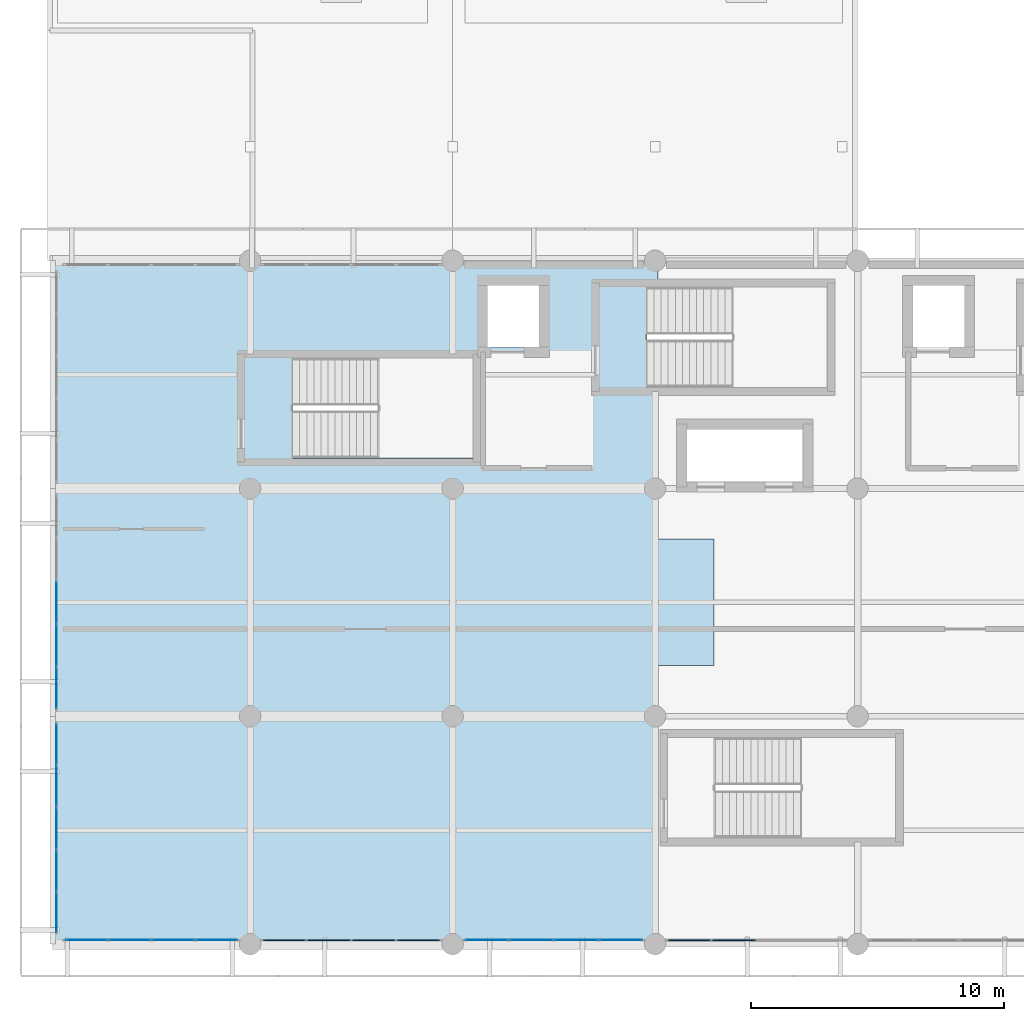
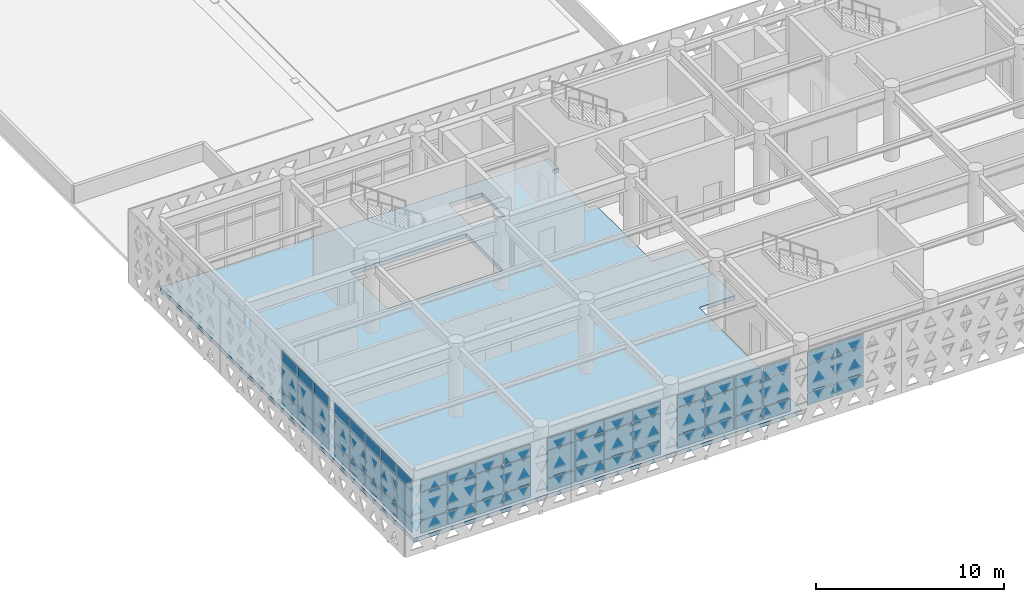
# One storey, part 27 of 54: 66 plates, 1 slab, 6 elements without a shape of their own.
"""IFC4 building model written with IfcOpenShell, lengths in metres."""

from ifc_helpers import new_model, si_unit, direction, frame, origin, origin_2d, place, context, subcontext, project, spatial, polyline, rectangle, outline, extrude, material, layer, layer_set, type_object, element, aggregate, save


model = new_model("IFC4")

# Units and contexts
model_context = context("Model", 3, precision=1e-05, world=origin(), true_north=direction((0.0, 1.0)))
body_context = subcontext(model_context, "Body", "Model", "MODEL_VIEW")
ifc_project = project(units=[si_unit("LENGTHUNIT", "METRE"), si_unit("AREAUNIT", "SQUARE_METRE"), si_unit("VOLUMEUNIT", "CUBIC_METRE"), si_unit("PLANEANGLEUNIT", "RADIAN"), si_unit("MASSUNIT", "GRAM", prefix="KILO")], contexts=[model_context])

# Site, building, storey
site_placement = place(None, origin())
site = spatial("IfcSite", under=ifc_project, at=site_placement, CompositionType="ELEMENT")
building_placement = place(site_placement, origin())
building = spatial("IfcBuilding", under=site, at=building_placement, Name="Tlacozan Convention Centre", CompositionType="ELEMENT")
storey_placement = place(building_placement, frame((0.0, 0.0, 11.39990234375)))
storey = spatial("IfcBuildingStorey", under=building, at=storey_placement, Name="L02", CompositionType="ELEMENT", Elevation=11.39990234375)

# Curtain wall, plates
ifc_material_1 = material(Name="Dark Bronze Anodised Aluminium", Category="aluminium")
ifc_layer_1 = layer(ifc_material_1, 0.159912109375)
ifc_layer_set_1 = layer_set([ifc_layer_1], Name="Dark Bronze Anodised Aluminium")
curtain_wall_type_1 = type_object("IfcCurtainWallType", Name="Unitised Congress L02 South CW03", PredefinedType="NOTDEFINED", material=ifc_layer_set_1)
curtain_wall_1_placement = place(storey_placement, origin())
curtain_wall_1 = element("IfcCurtainWall", 1, at=curtain_wall_1_placement, inside=storey, type_object=curtain_wall_type_1, Name="L02 CW-03 Run 78", PredefinedType="NOTDEFINED")
ifc_material_2 = material(Name="Solar Control Double Low-E Argon Glazing", Category="glass")
ifc_layer_2 = layer(ifc_material_2, 0.02001953125)
ifc_layer_set_2 = layer_set([ifc_layer_2], Name="Solar Control Double Low-E Argon Glazing")
plate_type_1 = type_object("IfcPlateType", Name="Double Low-E Glazed CW Panel 20", PredefinedType="CURTAIN_PANEL", material=ifc_layer_set_2)
plate_1_placement = place(storey_placement, frame((1.52880859375, 0.159912109375, 0.06494140625), z_axis=(0.0, 0.0, 1.0), x_axis=(1.0, 0.0, 0.0)))
plate_1 = element("IfcPlate", 2, at=plate_1_placement, type_object=plate_type_1, Name="CW-03 panel 1.1", PredefinedType="CURTAIN_PANEL", context=body_context, shape_type="SweptSolid", body=[
    extrude(rectangle(XDim=1.62744140625, YDim=0.02001953125, at=origin_2d()), origin(), (0.0, 0.0, 1.0), 0.802490234375),
])
plate_2_placement = place(storey_placement, frame((1.52880859375, 0.159912109375, 0.9326171875), z_axis=(0.0, 0.0, 1.0), x_axis=(1.0, 0.0, 0.0)))
plate_2 = element("IfcPlate", 3, at=plate_2_placement, type_object=plate_type_1, Name="CW-03 panel 1.2", PredefinedType="CURTAIN_PANEL", context=body_context, shape_type="SweptSolid", body=[
    extrude(rectangle(XDim=1.62744140625, YDim=0.02001953125, at=origin_2d()), origin(), (0.0, 0.0, 1.0), 1.77490234375),
])
plate_3_placement = place(storey_placement, frame((1.52880859375, 0.159912109375, 2.772705078125), z_axis=(0.0, 0.0, 1.0), x_axis=(1.0, 0.0, 0.0)))
plate_3 = element("IfcPlate", 4, at=plate_3_placement, type_object=plate_type_1, Name="CW-03 panel 1.3", PredefinedType="CURTAIN_PANEL", context=body_context, shape_type="SweptSolid", body=[
    extrude(rectangle(XDim=1.62744140625, YDim=0.02001953125, at=origin_2d()), origin(), (0.0, 0.0, 1.0), 0.75244140625),
])
plate_4_placement = place(storey_placement, frame((3.237548828125, 0.159912109375, 0.06494140625), z_axis=(0.0, 0.0, 1.0), x_axis=(1.0, 0.0, 0.0)))
plate_4 = element("IfcPlate", 5, at=plate_4_placement, type_object=plate_type_1, Name="CW-03 panel 2.1", PredefinedType="CURTAIN_PANEL", context=body_context, shape_type="SweptSolid", body=[
    extrude(rectangle(XDim=1.659912109375, YDim=0.02001953125, at=origin_2d()), origin(), (0.0, 0.0, 1.0), 0.802490234375),
])
plate_5_placement = place(storey_placement, frame((3.237548828125, 0.159912109375, 0.9326171875), z_axis=(0.0, 0.0, 1.0), x_axis=(1.0, 0.0, 0.0)))
plate_5 = element("IfcPlate", 6, at=plate_5_placement, type_object=plate_type_1, Name="CW-03 panel 2.2", PredefinedType="CURTAIN_PANEL", context=body_context, shape_type="SweptSolid", body=[
    extrude(rectangle(XDim=1.659912109375, YDim=0.02001953125, at=origin_2d()), origin(), (0.0, 0.0, 1.0), 1.77490234375),
])
plate_6_placement = place(storey_placement, frame((3.237548828125, 0.159912109375, 2.772705078125), z_axis=(0.0, 0.0, 1.0), x_axis=(1.0, 0.0, 0.0)))
plate_6 = element("IfcPlate", 7, at=plate_6_placement, type_object=plate_type_1, Name="CW-03 panel 2.3", PredefinedType="CURTAIN_PANEL", context=body_context, shape_type="SweptSolid", body=[
    extrude(rectangle(XDim=1.659912109375, YDim=0.02001953125, at=origin_2d()), origin(), (0.0, 0.0, 1.0), 0.75244140625),
])
plate_7_placement = place(storey_placement, frame((4.96240234375, 0.159912109375, 0.06494140625), z_axis=(0.0, 0.0, 1.0), x_axis=(1.0, 0.0, 0.0)))
plate_7 = element("IfcPlate", 8, at=plate_7_placement, type_object=plate_type_1, Name="CW-03 panel 3.1", PredefinedType="CURTAIN_PANEL", context=body_context, shape_type="SweptSolid", body=[
    extrude(rectangle(XDim=1.659912109375, YDim=0.02001953125, at=origin_2d()), origin(), (0.0, 0.0, 1.0), 0.802490234375),
])
plate_8_placement = place(storey_placement, frame((4.96240234375, 0.159912109375, 0.9326171875), z_axis=(0.0, 0.0, 1.0), x_axis=(1.0, 0.0, 0.0)))
plate_8 = element("IfcPlate", 9, at=plate_8_placement, type_object=plate_type_1, Name="CW-03 panel 3.2", PredefinedType="CURTAIN_PANEL", context=body_context, shape_type="SweptSolid", body=[
    extrude(rectangle(XDim=1.659912109375, YDim=0.02001953125, at=origin_2d()), origin(), (0.0, 0.0, 1.0), 1.77490234375),
])
plate_9_placement = place(storey_placement, frame((4.96240234375, 0.159912109375, 2.772705078125), z_axis=(0.0, 0.0, 1.0), x_axis=(1.0, 0.0, 0.0)))
plate_9 = element("IfcPlate", 10, at=plate_9_placement, type_object=plate_type_1, Name="CW-03 panel 3.3", PredefinedType="CURTAIN_PANEL", context=body_context, shape_type="SweptSolid", body=[
    extrude(rectangle(XDim=1.659912109375, YDim=0.02001953125, at=origin_2d()), origin(), (0.0, 0.0, 1.0), 0.75244140625),
])
plate_10_placement = place(storey_placement, frame((6.671142578125, 0.159912109375, 0.06494140625), z_axis=(0.0, 0.0, 1.0), x_axis=(1.0, 0.0, 0.0)))
plate_10 = element("IfcPlate", 11, at=plate_10_placement, type_object=plate_type_1, Name="CW-03 panel 4.1", PredefinedType="CURTAIN_PANEL", context=body_context, shape_type="SweptSolid", body=[
    extrude(rectangle(XDim=1.62744140625, YDim=0.02001953125, at=origin_2d()), origin(), (0.0, 0.0, 1.0), 0.802490234375),
])
plate_11_placement = place(storey_placement, frame((6.671142578125, 0.159912109375, 0.9326171875), z_axis=(0.0, 0.0, 1.0), x_axis=(1.0, 0.0, 0.0)))
plate_11 = element("IfcPlate", 12, at=plate_11_placement, type_object=plate_type_1, Name="CW-03 panel 4.2", PredefinedType="CURTAIN_PANEL", context=body_context, shape_type="SweptSolid", body=[
    extrude(rectangle(XDim=1.62744140625, YDim=0.02001953125, at=origin_2d()), origin(), (0.0, 0.0, 1.0), 1.77490234375),
])
plate_12_placement = place(storey_placement, frame((6.671142578125, 0.159912109375, 2.772705078125), z_axis=(0.0, 0.0, 1.0), x_axis=(1.0, 0.0, 0.0)))
plate_12 = element("IfcPlate", 13, at=plate_12_placement, type_object=plate_type_1, Name="CW-03 panel 4.3", PredefinedType="CURTAIN_PANEL", context=body_context, shape_type="SweptSolid", body=[
    extrude(rectangle(XDim=1.62744140625, YDim=0.02001953125, at=origin_2d()), origin(), (0.0, 0.0, 1.0), 0.75244140625),
])
aggregate(curtain_wall_1, [plate_1, plate_2, plate_3, plate_4, plate_5, plate_6, plate_7, plate_8, plate_9, plate_10, plate_11, plate_12])

curtain_wall_2_placement = place(storey_placement, origin())
curtain_wall_2 = element("IfcCurtainWall", 14, at=curtain_wall_2_placement, inside=storey, type_object=curtain_wall_type_1, Name="L02 CW-03 Run 80", PredefinedType="NOTDEFINED")
plate_13_placement = place(storey_placement, frame((17.353759765625, 0.159912109375, 0.06494140625), z_axis=(0.0, 0.0, 1.0), x_axis=(1.0, 0.0, 0.0)))
plate_13 = element("IfcPlate", 15, at=plate_13_placement, type_object=plate_type_1, Name="CW-03 panel 1.1", PredefinedType="CURTAIN_PANEL", context=body_context, shape_type="SweptSolid", body=[
    extrude(rectangle(XDim=1.677490234375, YDim=0.02001953125, at=origin_2d()), origin(), (0.0, 0.0, 1.0), 0.802490234375),
])
plate_14_placement = place(storey_placement, frame((17.353759765625, 0.159912109375, 0.9326171875), z_axis=(0.0, 0.0, 1.0), x_axis=(1.0, 0.0, 0.0)))
plate_14 = element("IfcPlate", 16, at=plate_14_placement, type_object=plate_type_1, Name="CW-03 panel 1.2", PredefinedType="CURTAIN_PANEL", context=body_context, shape_type="SweptSolid", body=[
    extrude(rectangle(XDim=1.677490234375, YDim=0.02001953125, at=origin_2d()), origin(), (0.0, 0.0, 1.0), 1.77490234375),
])
plate_15_placement = place(storey_placement, frame((17.353759765625, 0.159912109375, 2.772705078125), z_axis=(0.0, 0.0, 1.0), x_axis=(1.0, 0.0, 0.0)))
plate_15 = element("IfcPlate", 17, at=plate_15_placement, type_object=plate_type_1, Name="CW-03 panel 1.3", PredefinedType="CURTAIN_PANEL", context=body_context, shape_type="SweptSolid", body=[
    extrude(rectangle(XDim=1.677490234375, YDim=0.02001953125, at=origin_2d()), origin(), (0.0, 0.0, 1.0), 0.75244140625),
])
plate_16_placement = place(storey_placement, frame((19.112548828125, 0.159912109375, 0.06494140625), z_axis=(0.0, 0.0, 1.0), x_axis=(1.0, 0.0, 0.0)))
plate_16 = element("IfcPlate", 18, at=plate_16_placement, type_object=plate_type_1, Name="CW-03 panel 2.1", PredefinedType="CURTAIN_PANEL", context=body_context, shape_type="SweptSolid", body=[
    extrude(rectangle(XDim=1.7099609375, YDim=0.02001953125, at=origin_2d()), origin(), (0.0, 0.0, 1.0), 0.802490234375),
])
plate_17_placement = place(storey_placement, frame((19.112548828125, 0.159912109375, 0.9326171875), z_axis=(0.0, 0.0, 1.0), x_axis=(1.0, 0.0, 0.0)))
plate_17 = element("IfcPlate", 19, at=plate_17_placement, type_object=plate_type_1, Name="CW-03 panel 2.2", PredefinedType="CURTAIN_PANEL", context=body_context, shape_type="SweptSolid", body=[
    extrude(rectangle(XDim=1.7099609375, YDim=0.02001953125, at=origin_2d()), origin(), (0.0, 0.0, 1.0), 1.77490234375),
])
plate_18_placement = place(storey_placement, frame((19.112548828125, 0.159912109375, 2.772705078125), z_axis=(0.0, 0.0, 1.0), x_axis=(1.0, 0.0, 0.0)))
plate_18 = element("IfcPlate", 20, at=plate_18_placement, type_object=plate_type_1, Name="CW-03 panel 2.3", PredefinedType="CURTAIN_PANEL", context=body_context, shape_type="SweptSolid", body=[
    extrude(rectangle(XDim=1.7099609375, YDim=0.02001953125, at=origin_2d()), origin(), (0.0, 0.0, 1.0), 0.75244140625),
])
plate_19_placement = place(storey_placement, frame((20.887451171875, 0.159912109375, 0.06494140625), z_axis=(0.0, 0.0, 1.0), x_axis=(1.0, 0.0, 0.0)))
plate_19 = element("IfcPlate", 21, at=plate_19_placement, type_object=plate_type_1, Name="CW-03 panel 3.1", PredefinedType="CURTAIN_PANEL", context=body_context, shape_type="SweptSolid", body=[
    extrude(rectangle(XDim=1.7099609375, YDim=0.02001953125, at=origin_2d()), origin(), (0.0, 0.0, 1.0), 0.802490234375),
])
plate_20_placement = place(storey_placement, frame((20.887451171875, 0.159912109375, 0.9326171875), z_axis=(0.0, 0.0, 1.0), x_axis=(1.0, 0.0, 0.0)))
plate_20 = element("IfcPlate", 22, at=plate_20_placement, type_object=plate_type_1, Name="CW-03 panel 3.2", PredefinedType="CURTAIN_PANEL", context=body_context, shape_type="SweptSolid", body=[
    extrude(rectangle(XDim=1.7099609375, YDim=0.02001953125, at=origin_2d()), origin(), (0.0, 0.0, 1.0), 1.77490234375),
])
plate_21_placement = place(storey_placement, frame((20.887451171875, 0.159912109375, 2.772705078125), z_axis=(0.0, 0.0, 1.0), x_axis=(1.0, 0.0, 0.0)))
plate_21 = element("IfcPlate", 23, at=plate_21_placement, type_object=plate_type_1, Name="CW-03 panel 3.3", PredefinedType="CURTAIN_PANEL", context=body_context, shape_type="SweptSolid", body=[
    extrude(rectangle(XDim=1.7099609375, YDim=0.02001953125, at=origin_2d()), origin(), (0.0, 0.0, 1.0), 0.75244140625),
])
plate_22_placement = place(storey_placement, frame((22.646240234375, 0.159912109375, 0.06494140625), z_axis=(0.0, 0.0, 1.0), x_axis=(1.0, 0.0, 0.0)))
plate_22 = element("IfcPlate", 24, at=plate_22_placement, type_object=plate_type_1, Name="CW-03 panel 4.1", PredefinedType="CURTAIN_PANEL", context=body_context, shape_type="SweptSolid", body=[
    extrude(rectangle(XDim=1.677490234375, YDim=0.02001953125, at=origin_2d()), origin(), (0.0, 0.0, 1.0), 0.802490234375),
])
plate_23_placement = place(storey_placement, frame((22.646240234375, 0.159912109375, 0.9326171875), z_axis=(0.0, 0.0, 1.0), x_axis=(1.0, 0.0, 0.0)))
plate_23 = element("IfcPlate", 25, at=plate_23_placement, type_object=plate_type_1, Name="CW-03 panel 4.2", PredefinedType="CURTAIN_PANEL", context=body_context, shape_type="SweptSolid", body=[
    extrude(rectangle(XDim=1.677490234375, YDim=0.02001953125, at=origin_2d()), origin(), (0.0, 0.0, 1.0), 1.77490234375),
])
plate_24_placement = place(storey_placement, frame((22.646240234375, 0.159912109375, 2.772705078125), z_axis=(0.0, 0.0, 1.0), x_axis=(1.0, 0.0, 0.0)))
plate_24 = element("IfcPlate", 26, at=plate_24_placement, type_object=plate_type_1, Name="CW-03 panel 4.3", PredefinedType="CURTAIN_PANEL", context=body_context, shape_type="SweptSolid", body=[
    extrude(rectangle(XDim=1.677490234375, YDim=0.02001953125, at=origin_2d()), origin(), (0.0, 0.0, 1.0), 0.75244140625),
])
aggregate(curtain_wall_2, [plate_13, plate_14, plate_15, plate_16, plate_17, plate_18, plate_19, plate_20, plate_21, plate_22, plate_23, plate_24])

ifc_layer_3 = layer(ifc_material_1, 0.159912109375)
ifc_layer_set_3 = layer_set([ifc_layer_3], Name="Dark Bronze Anodised Aluminium")
curtain_wall_type_2 = type_object("IfcCurtainWallType", Name="Unitised Congress Gable End CW06", PredefinedType="NOTDEFINED", material=ifc_layer_set_3)
curtain_wall_3_placement = place(storey_placement, origin())
curtain_wall_3 = element("IfcCurtainWall", 27, at=curtain_wall_3_placement, inside=storey, type_object=curtain_wall_type_2, Name="L02 CW-06 Run 96", PredefinedType="NOTDEFINED")
plate_25_placement = place(storey_placement, frame((0.360107421875, 1.259033203125, 0.06005859375), z_axis=(0.0, 0.0, 1.0), x_axis=(0.0, 1.0, 0.0)))
plate_25 = element("IfcPlate", 28, at=plate_25_placement, type_object=plate_type_1, Name="CW-06 panel 1.1", PredefinedType="CURTAIN_PANEL", context=body_context, shape_type="SweptSolid", body=[
    extrude(rectangle(XDim=1.577880859375, YDim=0.02001953125, at=origin_2d()), origin(), (0.0, 0.0, 1.0), 0.81005859375),
])
plate_26_placement = place(storey_placement, frame((0.360107421875, 1.259033203125, 0.93017578125), z_axis=(0.0, 0.0, 1.0), x_axis=(0.0, 1.0, 0.0)))
plate_26 = element("IfcPlate", 29, at=plate_26_placement, type_object=plate_type_1, Name="CW-06 panel 1.2", PredefinedType="CURTAIN_PANEL", context=body_context, shape_type="SweptSolid", body=[
    extrude(rectangle(XDim=1.577880859375, YDim=0.02001953125, at=origin_2d()), origin(), (0.0, 0.0, 1.0), 1.780029296875),
])
plate_27_placement = place(storey_placement, frame((0.360107421875, 1.259033203125, 2.77001953125), z_axis=(0.0, 0.0, 1.0), x_axis=(0.0, 1.0, 0.0)))
plate_27 = element("IfcPlate", 30, at=plate_27_placement, type_object=plate_type_1, Name="CW-06 panel 1.3", PredefinedType="CURTAIN_PANEL", context=body_context, shape_type="SweptSolid", body=[
    extrude(rectangle(XDim=1.577880859375, YDim=0.02001953125, at=origin_2d()), origin(), (0.0, 0.0, 1.0), 0.760009765625),
])
plate_28_placement = place(storey_placement, frame((0.360107421875, 2.912109375, 0.06005859375), z_axis=(0.0, 0.0, 1.0), x_axis=(0.0, 1.0, 0.0)))
plate_28 = element("IfcPlate", 31, at=plate_28_placement, type_object=plate_type_1, Name="CW-06 panel 2.1", PredefinedType="CURTAIN_PANEL", context=body_context, shape_type="SweptSolid", body=[
    extrude(rectangle(XDim=1.60791015625, YDim=0.02001953125, at=origin_2d()), origin(), (0.0, 0.0, 1.0), 0.81005859375),
])
plate_29_placement = place(storey_placement, frame((0.360107421875, 2.912109375, 0.93017578125), z_axis=(0.0, 0.0, 1.0), x_axis=(0.0, 1.0, 0.0)))
plate_29 = element("IfcPlate", 32, at=plate_29_placement, type_object=plate_type_1, Name="CW-06 panel 2.2", PredefinedType="CURTAIN_PANEL", context=body_context, shape_type="SweptSolid", body=[
    extrude(rectangle(XDim=1.60791015625, YDim=0.02001953125, at=origin_2d()), origin(), (0.0, 0.0, 1.0), 1.780029296875),
])
plate_30_placement = place(storey_placement, frame((0.360107421875, 2.912109375, 2.77001953125), z_axis=(0.0, 0.0, 1.0), x_axis=(0.0, 1.0, 0.0)))
plate_30 = element("IfcPlate", 33, at=plate_30_placement, type_object=plate_type_1, Name="CW-06 panel 2.3", PredefinedType="CURTAIN_PANEL", context=body_context, shape_type="SweptSolid", body=[
    extrude(rectangle(XDim=1.60791015625, YDim=0.02001953125, at=origin_2d()), origin(), (0.0, 0.0, 1.0), 0.760009765625),
])
plate_31_placement = place(storey_placement, frame((0.360107421875, 4.580078125, 0.06005859375), z_axis=(0.0, 0.0, 1.0), x_axis=(0.0, 1.0, 0.0)))
plate_31 = element("IfcPlate", 34, at=plate_31_placement, type_object=plate_type_1, Name="CW-06 panel 3.1", PredefinedType="CURTAIN_PANEL", context=body_context, shape_type="SweptSolid", body=[
    extrude(rectangle(XDim=1.60791015625, YDim=0.02001953125, at=origin_2d()), origin(), (0.0, 0.0, 1.0), 0.81005859375),
])
plate_32_placement = place(storey_placement, frame((0.360107421875, 4.580078125, 0.93017578125), z_axis=(0.0, 0.0, 1.0), x_axis=(0.0, 1.0, 0.0)))
plate_32 = element("IfcPlate", 35, at=plate_32_placement, type_object=plate_type_1, Name="CW-06 panel 3.2", PredefinedType="CURTAIN_PANEL", context=body_context, shape_type="SweptSolid", body=[
    extrude(rectangle(XDim=1.60791015625, YDim=0.02001953125, at=origin_2d()), origin(), (0.0, 0.0, 1.0), 1.780029296875),
])
plate_33_placement = place(storey_placement, frame((0.360107421875, 4.580078125, 2.77001953125), z_axis=(0.0, 0.0, 1.0), x_axis=(0.0, 1.0, 0.0)))
plate_33 = element("IfcPlate", 36, at=plate_33_placement, type_object=plate_type_1, Name="CW-06 panel 3.3", PredefinedType="CURTAIN_PANEL", context=body_context, shape_type="SweptSolid", body=[
    extrude(rectangle(XDim=1.60791015625, YDim=0.02001953125, at=origin_2d()), origin(), (0.0, 0.0, 1.0), 0.760009765625),
])
plate_34_placement = place(storey_placement, frame((0.360107421875, 6.248046875, 0.06005859375), z_axis=(0.0, 0.0, 1.0), x_axis=(0.0, 1.0, 0.0)))
plate_34 = element("IfcPlate", 37, at=plate_34_placement, type_object=plate_type_1, Name="CW-06 panel 4.1", PredefinedType="CURTAIN_PANEL", context=body_context, shape_type="SweptSolid", body=[
    extrude(rectangle(XDim=1.60791015625, YDim=0.02001953125, at=origin_2d()), origin(), (0.0, 0.0, 1.0), 0.81005859375),
])
plate_35_placement = place(storey_placement, frame((0.360107421875, 6.248046875, 0.93017578125), z_axis=(0.0, 0.0, 1.0), x_axis=(0.0, 1.0, 0.0)))
plate_35 = element("IfcPlate", 38, at=plate_35_placement, type_object=plate_type_1, Name="CW-06 panel 4.2", PredefinedType="CURTAIN_PANEL", context=body_context, shape_type="SweptSolid", body=[
    extrude(rectangle(XDim=1.60791015625, YDim=0.02001953125, at=origin_2d()), origin(), (0.0, 0.0, 1.0), 1.780029296875),
])
plate_36_placement = place(storey_placement, frame((0.360107421875, 6.248046875, 2.77001953125), z_axis=(0.0, 0.0, 1.0), x_axis=(0.0, 1.0, 0.0)))
plate_36 = element("IfcPlate", 39, at=plate_36_placement, type_object=plate_type_1, Name="CW-06 panel 4.3", PredefinedType="CURTAIN_PANEL", context=body_context, shape_type="SweptSolid", body=[
    extrude(rectangle(XDim=1.60791015625, YDim=0.02001953125, at=origin_2d()), origin(), (0.0, 0.0, 1.0), 0.760009765625),
])
plate_37_placement = place(storey_placement, frame((0.360107421875, 7.90087890625, 0.06005859375), z_axis=(0.0, 0.0, 1.0), x_axis=(0.0, 1.0, 0.0)))
plate_37 = element("IfcPlate", 40, at=plate_37_placement, type_object=plate_type_1, Name="CW-06 panel 5.1", PredefinedType="CURTAIN_PANEL", context=body_context, shape_type="SweptSolid", body=[
    extrude(rectangle(XDim=1.577880859375, YDim=0.02001953125, at=origin_2d()), origin(), (0.0, 0.0, 1.0), 0.81005859375),
])
plate_38_placement = place(storey_placement, frame((0.360107421875, 7.90087890625, 0.93017578125), z_axis=(0.0, 0.0, 1.0), x_axis=(0.0, 1.0, 0.0)))
plate_38 = element("IfcPlate", 41, at=plate_38_placement, type_object=plate_type_1, Name="CW-06 panel 5.2", PredefinedType="CURTAIN_PANEL", context=body_context, shape_type="SweptSolid", body=[
    extrude(rectangle(XDim=1.577880859375, YDim=0.02001953125, at=origin_2d()), origin(), (0.0, 0.0, 1.0), 1.780029296875),
])
plate_39_placement = place(storey_placement, frame((0.360107421875, 7.90087890625, 2.77001953125), z_axis=(0.0, 0.0, 1.0), x_axis=(0.0, 1.0, 0.0)))
plate_39 = element("IfcPlate", 42, at=plate_39_placement, type_object=plate_type_1, Name="CW-06 panel 5.3", PredefinedType="CURTAIN_PANEL", context=body_context, shape_type="SweptSolid", body=[
    extrude(rectangle(XDim=1.577880859375, YDim=0.02001953125, at=origin_2d()), origin(), (0.0, 0.0, 1.0), 0.760009765625),
])
aggregate(curtain_wall_3, [plate_25, plate_26, plate_27, plate_28, plate_29, plate_30, plate_31, plate_32, plate_33, plate_34, plate_35, plate_36, plate_37, plate_38, plate_39])

curtain_wall_4_placement = place(storey_placement, origin())
curtain_wall_4 = element("IfcCurtainWall", 43, at=curtain_wall_4_placement, inside=storey, type_object=curtain_wall_type_2, Name="L02 CW-06 Run 98", PredefinedType="NOTDEFINED")
plate_40_placement = place(storey_placement, frame((0.360107421875, 10.114990234375, 0.06005859375), z_axis=(0.0, 0.0, 1.0), x_axis=(0.0, 1.0, 0.0)))
plate_40 = element("IfcPlate", 44, at=plate_40_placement, type_object=plate_type_1, Name="CW-06 panel 1.1", PredefinedType="CURTAIN_PANEL", context=body_context, shape_type="SweptSolid", body=[
    extrude(rectangle(XDim=1.610107421875, YDim=0.02001953125, at=origin_2d()), origin(), (0.0, 0.0, 1.0), 0.81005859375),
])
plate_41_placement = place(storey_placement, frame((0.360107421875, 10.114990234375, 0.93017578125), z_axis=(0.0, 0.0, 1.0), x_axis=(0.0, 1.0, 0.0)))
plate_41 = element("IfcPlate", 45, at=plate_41_placement, type_object=plate_type_1, Name="CW-06 panel 1.2", PredefinedType="CURTAIN_PANEL", context=body_context, shape_type="SweptSolid", body=[
    extrude(rectangle(XDim=1.610107421875, YDim=0.02001953125, at=origin_2d()), origin(), (0.0, 0.0, 1.0), 1.780029296875),
])
plate_42_placement = place(storey_placement, frame((0.360107421875, 10.114990234375, 2.77001953125), z_axis=(0.0, 0.0, 1.0), x_axis=(0.0, 1.0, 0.0)))
plate_42 = element("IfcPlate", 46, at=plate_42_placement, type_object=plate_type_1, Name="CW-06 panel 1.3", PredefinedType="CURTAIN_PANEL", context=body_context, shape_type="SweptSolid", body=[
    extrude(rectangle(XDim=1.610107421875, YDim=0.02001953125, at=origin_2d()), origin(), (0.0, 0.0, 1.0), 0.760009765625),
])
plate_43_placement = place(storey_placement, frame((0.360107421875, 11.800048828125, 0.06005859375), z_axis=(0.0, 0.0, 1.0), x_axis=(0.0, 1.0, 0.0)))
plate_43 = element("IfcPlate", 47, at=plate_43_placement, type_object=plate_type_1, Name="CW-06 panel 2.1", PredefinedType="CURTAIN_PANEL", context=body_context, shape_type="SweptSolid", body=[
    extrude(rectangle(XDim=1.639892578125, YDim=0.02001953125, at=origin_2d()), origin(), (0.0, 0.0, 1.0), 0.81005859375),
])
plate_44_placement = place(storey_placement, frame((0.360107421875, 11.800048828125, 0.93017578125), z_axis=(0.0, 0.0, 1.0), x_axis=(0.0, 1.0, 0.0)))
plate_44 = element("IfcPlate", 48, at=plate_44_placement, type_object=plate_type_1, Name="CW-06 panel 2.2", PredefinedType="CURTAIN_PANEL", context=body_context, shape_type="SweptSolid", body=[
    extrude(rectangle(XDim=1.639892578125, YDim=0.02001953125, at=origin_2d()), origin(), (0.0, 0.0, 1.0), 1.780029296875),
])
plate_45_placement = place(storey_placement, frame((0.360107421875, 11.800048828125, 2.77001953125), z_axis=(0.0, 0.0, 1.0), x_axis=(0.0, 1.0, 0.0)))
plate_45 = element("IfcPlate", 49, at=plate_45_placement, type_object=plate_type_1, Name="CW-06 panel 2.3", PredefinedType="CURTAIN_PANEL", context=body_context, shape_type="SweptSolid", body=[
    extrude(rectangle(XDim=1.639892578125, YDim=0.02001953125, at=origin_2d()), origin(), (0.0, 0.0, 1.0), 0.760009765625),
])
plate_46_placement = place(storey_placement, frame((0.360107421875, 13.5, 0.06005859375), z_axis=(0.0, 0.0, 1.0), x_axis=(0.0, 1.0, 0.0)))
plate_46 = element("IfcPlate", 50, at=plate_46_placement, type_object=plate_type_1, Name="CW-06 panel 3.1", PredefinedType="CURTAIN_PANEL", context=body_context, shape_type="SweptSolid", body=[
    extrude(rectangle(XDim=1.639892578125, YDim=0.02001953125, at=origin_2d()), origin(), (0.0, 0.0, 1.0), 0.81005859375),
])
plate_47_placement = place(storey_placement, frame((0.360107421875, 13.5, 0.93017578125), z_axis=(0.0, 0.0, 1.0), x_axis=(0.0, 1.0, 0.0)))
plate_47 = element("IfcPlate", 51, at=plate_47_placement, type_object=plate_type_1, Name="CW-06 panel 3.2", PredefinedType="CURTAIN_PANEL", context=body_context, shape_type="SweptSolid", body=[
    extrude(rectangle(XDim=1.639892578125, YDim=0.02001953125, at=origin_2d()), origin(), (0.0, 0.0, 1.0), 1.780029296875),
])
plate_48_placement = place(storey_placement, frame((0.360107421875, 13.5, 2.77001953125), z_axis=(0.0, 0.0, 1.0), x_axis=(0.0, 1.0, 0.0)))
plate_48 = element("IfcPlate", 52, at=plate_48_placement, type_object=plate_type_1, Name="CW-06 panel 3.3", PredefinedType="CURTAIN_PANEL", context=body_context, shape_type="SweptSolid", body=[
    extrude(rectangle(XDim=1.639892578125, YDim=0.02001953125, at=origin_2d()), origin(), (0.0, 0.0, 1.0), 0.760009765625),
])
aggregate(curtain_wall_4, [plate_40, plate_41, plate_42, plate_43, plate_44, plate_45, plate_46, plate_47, plate_48])

curtain_wall_5_placement = place(storey_placement, origin())
curtain_wall_5 = element("IfcCurtainWall", 53, at=curtain_wall_5_placement, inside=storey, type_object=curtain_wall_type_1, Name="L02 CW-03 Run 79", PredefinedType="NOTDEFINED")
ifc_layer_4 = layer(ifc_material_2, 0.0400390625)
ifc_layer_set_4 = layer_set([ifc_layer_4], Name="Solar Control Double Low-E Argon Glazing")
plate_type_2 = type_object("IfcPlateType", Name="Insulated Spandrel CW Panel 40", PredefinedType="CURTAIN_PANEL", material=ifc_layer_set_4)
plate_49_placement = place(storey_placement, frame((9.353759765625, 0.159912109375, 0.06494140625), z_axis=(0.0, 0.0, 1.0), x_axis=(1.0, 0.0, 0.0)))
plate_49 = element("IfcPlate", 54, at=plate_49_placement, type_object=plate_type_2, Name="CW-03 panel 1.1", PredefinedType="CURTAIN_PANEL", context=body_context, shape_type="SweptSolid", body=[
    extrude(rectangle(XDim=1.677490234375, YDim=0.0400390625, at=origin_2d()), origin(), (0.0, 0.0, 1.0), 0.802490234375),
])
plate_50_placement = place(storey_placement, frame((9.353759765625, 0.159912109375, 0.9326171875), z_axis=(0.0, 0.0, 1.0), x_axis=(1.0, 0.0, 0.0)))
plate_50 = element("IfcPlate", 55, at=plate_50_placement, type_object=plate_type_2, Name="CW-03 panel 1.2", PredefinedType="CURTAIN_PANEL", context=body_context, shape_type="SweptSolid", body=[
    extrude(rectangle(XDim=1.677490234375, YDim=0.0400390625, at=origin_2d()), origin(), (0.0, 0.0, 1.0), 1.77490234375),
])
plate_51_placement = place(storey_placement, frame((9.353759765625, 0.159912109375, 2.772705078125), z_axis=(0.0, 0.0, 1.0), x_axis=(1.0, 0.0, 0.0)))
plate_51 = element("IfcPlate", 56, at=plate_51_placement, type_object=plate_type_2, Name="CW-03 panel 1.3", PredefinedType="CURTAIN_PANEL", context=body_context, shape_type="SweptSolid", body=[
    extrude(rectangle(XDim=1.677490234375, YDim=0.0400390625, at=origin_2d()), origin(), (0.0, 0.0, 1.0), 0.75244140625),
])
plate_52_placement = place(storey_placement, frame((11.112548828125, 0.159912109375, 0.06494140625), z_axis=(0.0, 0.0, 1.0), x_axis=(1.0, 0.0, 0.0)))
plate_52 = element("IfcPlate", 57, at=plate_52_placement, type_object=plate_type_2, Name="CW-03 panel 2.1", PredefinedType="CURTAIN_PANEL", context=body_context, shape_type="SweptSolid", body=[
    extrude(rectangle(XDim=1.7099609375, YDim=0.0400390625, at=origin_2d()), origin(), (0.0, 0.0, 1.0), 0.802490234375),
])
plate_53_placement = place(storey_placement, frame((11.112548828125, 0.159912109375, 0.9326171875), z_axis=(0.0, 0.0, 1.0), x_axis=(1.0, 0.0, 0.0)))
plate_53 = element("IfcPlate", 58, at=plate_53_placement, type_object=plate_type_2, Name="CW-03 panel 2.2", PredefinedType="CURTAIN_PANEL", context=body_context, shape_type="SweptSolid", body=[
    extrude(rectangle(XDim=1.7099609375, YDim=0.0400390625, at=origin_2d()), origin(), (0.0, 0.0, 1.0), 1.77490234375),
])
plate_54_placement = place(storey_placement, frame((11.112548828125, 0.159912109375, 2.772705078125), z_axis=(0.0, 0.0, 1.0), x_axis=(1.0, 0.0, 0.0)))
plate_54 = element("IfcPlate", 59, at=plate_54_placement, type_object=plate_type_2, Name="CW-03 panel 2.3", PredefinedType="CURTAIN_PANEL", context=body_context, shape_type="SweptSolid", body=[
    extrude(rectangle(XDim=1.7099609375, YDim=0.0400390625, at=origin_2d()), origin(), (0.0, 0.0, 1.0), 0.75244140625),
])
plate_55_placement = place(storey_placement, frame((12.887451171875, 0.159912109375, 0.06494140625), z_axis=(0.0, 0.0, 1.0), x_axis=(1.0, 0.0, 0.0)))
plate_55 = element("IfcPlate", 60, at=plate_55_placement, type_object=plate_type_2, Name="CW-03 panel 3.1", PredefinedType="CURTAIN_PANEL", context=body_context, shape_type="SweptSolid", body=[
    extrude(rectangle(XDim=1.7099609375, YDim=0.0400390625, at=origin_2d()), origin(), (0.0, 0.0, 1.0), 0.802490234375),
])
plate_56_placement = place(storey_placement, frame((12.887451171875, 0.159912109375, 0.9326171875), z_axis=(0.0, 0.0, 1.0), x_axis=(1.0, 0.0, 0.0)))
plate_56 = element("IfcPlate", 61, at=plate_56_placement, type_object=plate_type_2, Name="CW-03 panel 3.2", PredefinedType="CURTAIN_PANEL", context=body_context, shape_type="SweptSolid", body=[
    extrude(rectangle(XDim=1.7099609375, YDim=0.0400390625, at=origin_2d()), origin(), (0.0, 0.0, 1.0), 1.77490234375),
])
plate_57_placement = place(storey_placement, frame((12.887451171875, 0.159912109375, 2.772705078125), z_axis=(0.0, 0.0, 1.0), x_axis=(1.0, 0.0, 0.0)))
plate_57 = element("IfcPlate", 62, at=plate_57_placement, type_object=plate_type_2, Name="CW-03 panel 3.3", PredefinedType="CURTAIN_PANEL", context=body_context, shape_type="SweptSolid", body=[
    extrude(rectangle(XDim=1.7099609375, YDim=0.0400390625, at=origin_2d()), origin(), (0.0, 0.0, 1.0), 0.75244140625),
])
plate_58_placement = place(storey_placement, frame((14.646240234375, 0.159912109375, 0.06494140625), z_axis=(0.0, 0.0, 1.0), x_axis=(1.0, 0.0, 0.0)))
plate_58 = element("IfcPlate", 63, at=plate_58_placement, type_object=plate_type_2, Name="CW-03 panel 4.1", PredefinedType="CURTAIN_PANEL", context=body_context, shape_type="SweptSolid", body=[
    extrude(rectangle(XDim=1.677490234375, YDim=0.0400390625, at=origin_2d()), origin(), (0.0, 0.0, 1.0), 0.802490234375),
])
plate_59_placement = place(storey_placement, frame((14.646240234375, 0.159912109375, 0.9326171875), z_axis=(0.0, 0.0, 1.0), x_axis=(1.0, 0.0, 0.0)))
plate_59 = element("IfcPlate", 64, at=plate_59_placement, type_object=plate_type_2, Name="CW-03 panel 4.2", PredefinedType="CURTAIN_PANEL", context=body_context, shape_type="SweptSolid", body=[
    extrude(rectangle(XDim=1.677490234375, YDim=0.0400390625, at=origin_2d()), origin(), (0.0, 0.0, 1.0), 1.77490234375),
])
plate_60_placement = place(storey_placement, frame((14.646240234375, 0.159912109375, 2.772705078125), z_axis=(0.0, 0.0, 1.0), x_axis=(1.0, 0.0, 0.0)))
plate_60 = element("IfcPlate", 65, at=plate_60_placement, type_object=plate_type_2, Name="CW-03 panel 4.3", PredefinedType="CURTAIN_PANEL", context=body_context, shape_type="SweptSolid", body=[
    extrude(rectangle(XDim=1.677490234375, YDim=0.0400390625, at=origin_2d()), origin(), (0.0, 0.0, 1.0), 0.75244140625),
])
aggregate(curtain_wall_5, [plate_49, plate_50, plate_51, plate_52, plate_53, plate_54, plate_55, plate_56, plate_57, plate_58, plate_59, plate_60])

curtain_wall_6_placement = place(storey_placement, origin())
curtain_wall_6 = element("IfcCurtainWall", 66, at=curtain_wall_6_placement, inside=storey, type_object=curtain_wall_type_1, Name="L02 CW-03 Run 81", PredefinedType="NOTDEFINED")
plate_61_placement = place(storey_placement, frame((25.353759765625, 0.159912109375, 0.06494140625), z_axis=(0.0, 0.0, 1.0), x_axis=(1.0, 0.0, 0.0)))
plate_61 = element("IfcPlate", 67, at=plate_61_placement, type_object=plate_type_2, Name="CW-03 panel 1.1", PredefinedType="CURTAIN_PANEL", context=body_context, shape_type="SweptSolid", body=[
    extrude(rectangle(XDim=1.677490234375, YDim=0.0400390625, at=origin_2d()), origin(), (0.0, 0.0, 1.0), 0.802490234375),
])
plate_62_placement = place(storey_placement, frame((25.353759765625, 0.159912109375, 0.9326171875), z_axis=(0.0, 0.0, 1.0), x_axis=(1.0, 0.0, 0.0)))
plate_62 = element("IfcPlate", 68, at=plate_62_placement, type_object=plate_type_2, Name="CW-03 panel 1.2", PredefinedType="CURTAIN_PANEL", context=body_context, shape_type="SweptSolid", body=[
    extrude(rectangle(XDim=1.677490234375, YDim=0.0400390625, at=origin_2d()), origin(), (0.0, 0.0, 1.0), 1.77490234375),
])
plate_63_placement = place(storey_placement, frame((25.353759765625, 0.159912109375, 2.772705078125), z_axis=(0.0, 0.0, 1.0), x_axis=(1.0, 0.0, 0.0)))
plate_63 = element("IfcPlate", 69, at=plate_63_placement, type_object=plate_type_2, Name="CW-03 panel 1.3", PredefinedType="CURTAIN_PANEL", context=body_context, shape_type="SweptSolid", body=[
    extrude(rectangle(XDim=1.677490234375, YDim=0.0400390625, at=origin_2d()), origin(), (0.0, 0.0, 1.0), 0.75244140625),
])
plate_64_placement = place(storey_placement, frame((27.112548828125, 0.159912109375, 0.06494140625), z_axis=(0.0, 0.0, 1.0), x_axis=(1.0, 0.0, 0.0)))
plate_64 = element("IfcPlate", 70, at=plate_64_placement, type_object=plate_type_2, Name="CW-03 panel 2.1", PredefinedType="CURTAIN_PANEL", context=body_context, shape_type="SweptSolid", body=[
    extrude(rectangle(XDim=1.7099609375, YDim=0.0400390625, at=origin_2d()), origin(), (0.0, 0.0, 1.0), 0.802490234375),
])
plate_65_placement = place(storey_placement, frame((27.112548828125, 0.159912109375, 0.9326171875), z_axis=(0.0, 0.0, 1.0), x_axis=(1.0, 0.0, 0.0)))
plate_65 = element("IfcPlate", 71, at=plate_65_placement, type_object=plate_type_2, Name="CW-03 panel 2.2", PredefinedType="CURTAIN_PANEL", context=body_context, shape_type="SweptSolid", body=[
    extrude(rectangle(XDim=1.7099609375, YDim=0.0400390625, at=origin_2d()), origin(), (0.0, 0.0, 1.0), 1.77490234375),
])
plate_66_placement = place(storey_placement, frame((27.112548828125, 0.159912109375, 2.772705078125), z_axis=(0.0, 0.0, 1.0), x_axis=(1.0, 0.0, 0.0)))
plate_66 = element("IfcPlate", 72, at=plate_66_placement, type_object=plate_type_2, Name="CW-03 panel 2.3", PredefinedType="CURTAIN_PANEL", context=body_context, shape_type="SweptSolid", body=[
    extrude(rectangle(XDim=1.7099609375, YDim=0.0400390625, at=origin_2d()), origin(), (0.0, 0.0, 1.0), 0.75244140625),
])
aggregate(curtain_wall_6, [plate_61, plate_62, plate_63, plate_64, plate_65, plate_66])

# Slab
ifc_material_3 = material(Name="Concrete C40/50", Category="concrete")
ifc_layer_5 = layer(ifc_material_3, 0.260009765625)
ifc_layer_set_5 = layer_set([ifc_layer_5], Name="Concrete C40/50")
slab_type = type_object("IfcSlabType", Name="Upper Congress Floor Slab 260", PredefinedType="FLOOR", material=ifc_layer_set_5)
slab_placement = place(storey_placement, frame((0.0, 0.0, -0.260009765625)))
element("IfcSlab", 73, at=slab_placement, inside=storey, type_object=slab_type, Name="L02 Upper Congress Floor Slab 260 67", PredefinedType="FLOOR", context=body_context, shape_type="SweptSolid", body=[
    extrude(outline(polyline([(0.199951171875, 0.0), (0.199951171875, 27.0), (24.1201171875, 27.0), (24.1201171875, 25.9599609375), (23.679931640625, 25.9599609375), (23.679931640625, 22.0), (24.1201171875, 22.0), (24.1201171875, 16.0), (26.320068359375, 16.0), (26.320068359375, 11.0), (24.1201171875, 11.0), (24.1201171875, 0.0), (0.199951171875, 0.0)]), holes=[polyline([(16.800048828125, 19.199951171875), (16.800048828125, 23.159912109375), (9.679931640625, 23.159912109375), (9.679931640625, 19.199951171875), (16.800048828125, 19.199951171875)]), polyline([(19.419921875, 26.02001953125), (17.3798828125, 26.02001953125), (17.3798828125, 23.580078125), (19.419921875, 23.580078125), (19.419921875, 26.02001953125)])]), origin(), (0.0, 0.0, 1.0), 0.260009765625),
])

save(model, "model.ifc")
